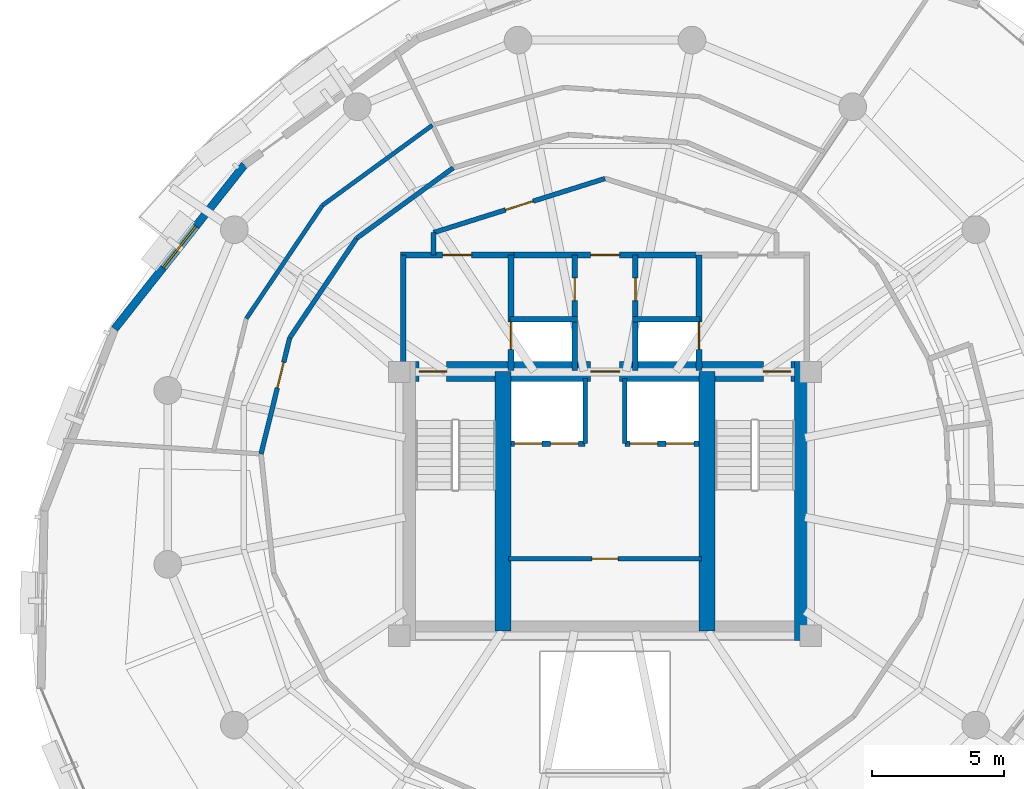
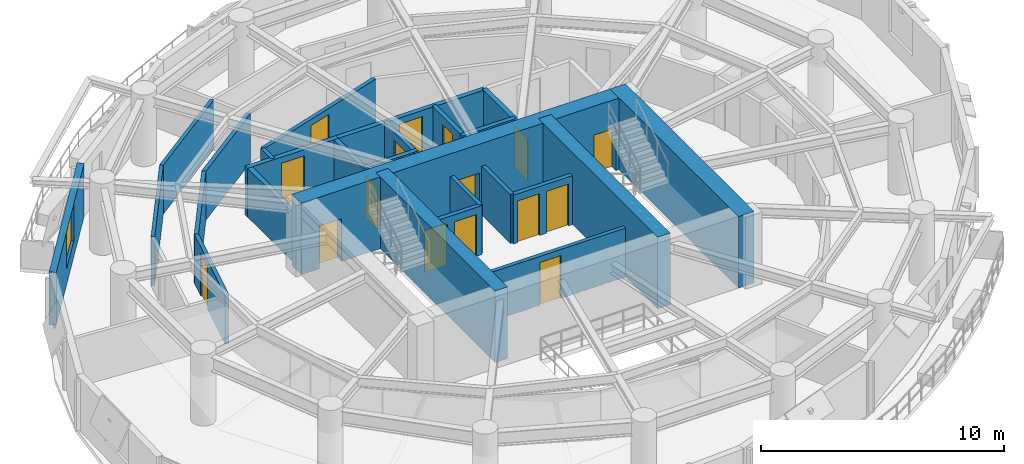
# One storey, part 8 of 12: 26 walls, 16 doors, 1 window, 17 openings.
"""IFC4 building model written with IfcOpenShell, lengths in metres."""

from ifc_helpers import new_model, si_unit, direction, frame, frame_2d, origin, place, context, subcontext, project, spatial, rectangle, extrude, material, layer, layer_set, type_object, element, fill, save


model = new_model("IFC4")

# Units and contexts
model_context = context("Model", 3, precision=1e-05, world=origin(), true_north=direction((0.0, 1.0)))
body_context = subcontext(model_context, "Body", "Model", "MODEL_VIEW")
ifc_project = project(units=[si_unit("LENGTHUNIT", "METRE"), si_unit("AREAUNIT", "SQUARE_METRE"), si_unit("VOLUMEUNIT", "CUBIC_METRE"), si_unit("PLANEANGLEUNIT", "RADIAN"), si_unit("MASSUNIT", "GRAM", prefix="KILO"), si_unit("THERMODYNAMICTEMPERATUREUNIT", "KELVIN"), si_unit("POWERUNIT", "WATT")], contexts=[model_context])

# Site, building, storey
site_placement = place(None, origin())
site = spatial("IfcSite", under=ifc_project, at=site_placement, CompositionType="ELEMENT")
building_placement = place(site_placement, origin())
building = spatial("IfcBuilding", under=site, at=building_placement, Name="Ocrelia Relay Tower", CompositionType="ELEMENT")
storey_placement = place(building_placement, frame((0.0, 0.0, 184.39990234375)))
storey = spatial("IfcBuildingStorey", under=building, at=storey_placement, Name="L44", CompositionType="ELEMENT", Elevation=184.39990234375)

# Wall, openings, doors
ifc_material_1 = material(Name="Concrete C60/75", Category="concrete")
ifc_layer_1 = layer(ifc_material_1, 0.75, Name="Concrete C60/75")
ifc_layer_set_1 = layer_set([ifc_layer_1], Name="Concrete C60/75")
wall_type_1 = type_object("IfcWallType", Name="CW-CORE-750", PredefinedType="SHEAR", material=ifc_layer_set_1)
wall_1_placement = place(storey_placement, frame((26.072021484375, 30.012939453125, 0.0), z_axis=(0.0, 0.0, 1.0), x_axis=(1.0, 0.0, 0.0)))
wall_1 = element("IfcWall", 1, at=wall_1_placement, inside=storey, type_object=wall_type_1, Name="L44 Core Shear Wall N", PredefinedType="SHEAR", context=body_context, shape_type="SweptSolid", body=[
    extrude(rectangle(XDim=15.865966796875, YDim=0.75, at=frame_2d((7.93310546875, 0.0))), origin(), (0.0, 0.0, 1.0), 3.60009765625),
])
opening_1_placement = place(wall_1_placement, frame((0.8779296875, 0.0, 0.0)))
opening_1 = element("IfcOpeningElement", 2, at=opening_1_placement, cuts=wall_1, Name="Opening D-FD90", PredefinedType="OPENING", context=body_context, shape_type="SweptSolid", body=[
    extrude(rectangle(XDim=1.050048828125, YDim=2.14990234375, at=frame_2d((0.52490234375, 1.074951171875))), frame((0.0, 0.385009765625, 0.0), z_axis=(0.0, -1.0, 0.0), x_axis=(1.0, 0.0, 0.0)), (0.0, 0.0, 1.0), 0.77001953125),
])
opening_2_placement = place(wall_1_placement, frame((13.927978515625, 0.0, 0.0)))
opening_2 = element("IfcOpeningElement", 3, at=opening_2_placement, cuts=wall_1, Name="Opening D-FD90", PredefinedType="OPENING", context=body_context, shape_type="SweptSolid", body=[
    extrude(rectangle(XDim=1.050048828125, YDim=2.14990234375, at=frame_2d((0.52490234375, 1.074951171875))), frame((0.0, 0.385009765625, 0.0), z_axis=(0.0, -1.0, 0.0), x_axis=(1.0, 0.0, 0.0)), (0.0, 0.0, 1.0), 0.77001953125),
])
opening_3_placement = place(wall_1_placement, frame((7.3779296875, 0.0, 0.0)))
opening_3 = element("IfcOpeningElement", 4, at=opening_3_placement, cuts=wall_1, Name="Opening D-FD60", PredefinedType="OPENING", context=body_context, shape_type="SweptSolid", body=[
    extrude(rectangle(XDim=1.10009765625, YDim=2.14990234375, at=frame_2d((0.550048828125, 1.074951171875))), frame((0.0, 0.385009765625, 0.0), z_axis=(0.0, -1.0, 0.0), x_axis=(1.0, 0.0, 0.0)), (0.0, 0.0, 1.0), 0.77001953125),
])
ifc_material_2 = material(Name="Timber-core 60-min acoustic fire door", Category="wood")
door_type_1 = type_object("IfcDoorType", Name="DR-LOBBY-FD60-1100", OperationType="NOTDEFINED", PredefinedType="DOOR", material=ifc_material_2)
door_1_placement = place(opening_3_placement, origin())
door_1 = element("IfcDoor", 5, at=door_1_placement, inside=storey, type_object=door_type_1, Name="L44 Core Lift Lobby North Fire Door", OperationType="SINGLE_SWING_LEFT", OverallHeight=2.14990234375, OverallWidth=1.10009765625, PredefinedType="DOOR", context=body_context, shape_type="SweptSolid", body=[
    extrude(rectangle(XDim=1.10009765625, YDim=2.14990234375, at=frame_2d((0.550048828125, 1.074951171875))), frame((0.0, 0.02490234375, 0.0), z_axis=(0.0, -1.0, 0.0), x_axis=(1.0, 0.0, 0.0)), (0.0, 0.0, 1.0), 0.050048828125),
])
fill(opening_3, door_1)
ifc_material_3 = material(Name="Steel S355 90-min fire door", Category="steel")
door_type_2 = type_object("IfcDoorType", Name="DR-STAIR-FD90-1050", OperationType="NOTDEFINED", PredefinedType="DOOR", material=ifc_material_3)
door_2_placement = place(opening_1_placement, origin())
door_2 = element("IfcDoor", 6, at=door_2_placement, inside=storey, type_object=door_type_2, Name="L44 Stair ST1 Fire Door", OperationType="SINGLE_SWING_LEFT", OverallHeight=2.14990234375, OverallWidth=1.050048828125, PredefinedType="DOOR", context=body_context, shape_type="SweptSolid", body=[
    extrude(rectangle(XDim=1.050048828125, YDim=2.14990234375, at=frame_2d((0.52490234375, 1.074951171875))), frame((0.0, 0.02490234375, 0.0), z_axis=(0.0, -1.0, 0.0), x_axis=(1.0, 0.0, 0.0)), (0.0, 0.0, 1.0), 0.050048828125),
])
fill(opening_1, door_2)
door_3_placement = place(opening_2_placement, origin())
door_3 = element("IfcDoor", 7, at=door_3_placement, inside=storey, type_object=door_type_2, Name="L44 Stair ST2 Fire Door", OperationType="SINGLE_SWING_RIGHT", OverallHeight=2.14990234375, OverallWidth=1.050048828125, PredefinedType="DOOR", context=body_context, shape_type="SweptSolid", body=[
    extrude(rectangle(XDim=1.050048828125, YDim=2.14990234375, at=frame_2d((0.52490234375, 1.074951171875))), frame((0.0, 0.02490234375, 0.0), z_axis=(0.0, -1.0, 0.0), x_axis=(1.0, 0.0, 0.0)), (0.0, 0.0, 1.0), 0.050048828125),
])
fill(opening_2, door_3)

# Walls
wall_2_placement = place(storey_placement, frame((41.56298828125, 19.81201171875, 0.0), z_axis=(0.0, 0.0, 1.0), x_axis=(0.0, 1.0, 0.0)))
element("IfcWall", 8, at=wall_2_placement, inside=storey, type_object=wall_type_1, Name="L44 Core Shear Wall E", PredefinedType="SHEAR", context=body_context, shape_type="SweptSolid", body=[
    extrude(rectangle(XDim=10.575927734375, YDim=0.75, at=frame_2d((5.2880859375, 0.0))), origin(), (0.0, 0.0, 1.0), 3.60009765625),
])
for number, where, z_axis, x_axis, name in (
    (9, (30.137939453125, 20.18701171875, 0.0), (0.0, 0.0, 1.0), (0.0, 1.0, 0.0), "L44 Core Shear Wall SPW"),
    (10, (37.8720703125, 20.18701171875, 0.0), (0.0, 0.0, 1.0), (0.0, 1.0, 0.0), "L44 Core Shear Wall SPE"),
):
    element("IfcWall", number, at=place(storey_placement, frame(where, z_axis=z_axis, x_axis=x_axis)), inside=storey, type_object=wall_type_1, Name=name, PredefinedType="SHEAR", context=body_context, shape_type="SweptSolid", body=[
        extrude(rectangle(XDim=9.825927734375, YDim=0.60009765625, at=frame_2d((4.9130859375, 0.0))), origin(), (0.0, 0.0, 1.0), 3.60009765625),
    ])

# Wall, opening, door
ifc_material_4 = material(Name="Gypsum Fireboard Partition EI60", Category="gypsum")
ifc_layer_2 = layer(ifc_material_4, 0.179931640625, Name="Gypsum Fireboard Partition EI60")
ifc_layer_set_2 = layer_set([ifc_layer_2], Name="Gypsum Fireboard Partition EI60")
wall_type_2 = type_object("IfcWallType", Name="W-CORR-EI60-180", PredefinedType="PARTITIONING", material=ifc_layer_set_2)
wall_3_placement = place(storey_placement, frame((30.35009765625, 22.919921875, 0.0), z_axis=(0.0, 0.0, 1.0), x_axis=(1.0, 0.0, 0.0)))
wall_3 = element("IfcWall", 11, at=wall_3_placement, inside=storey, type_object=wall_type_2, Name="L44 Reclaimed Core Room Partition", PredefinedType="PARTITIONING", context=body_context, shape_type="SweptSolid", body=[
    extrude(rectangle(XDim=7.2998046875, YDim=0.179931640625, at=frame_2d((3.64990234375, 0.0))), origin(), (0.0, 0.0, 1.0), 2.460205078125),
])
opening_4_placement = place(wall_3_placement, frame((3.14990234375, 0.0, 0.0)))
opening_4 = element("IfcOpeningElement", 12, at=opening_4_placement, cuts=wall_3, Name="Opening D-RM100", PredefinedType="OPENING", context=body_context, shape_type="SweptSolid", body=[
    extrude(rectangle(XDim=1.0, YDim=2.14990234375, at=frame_2d((0.5, 1.074951171875))), frame((0.0, 0.10009765625, 0.0), z_axis=(0.0, -1.0, 0.0), x_axis=(1.0, 0.0, 0.0)), (0.0, 0.0, 1.0), 0.199951171875),
])
ifc_material_5 = material(Name="Acoustic oak veneer fire door", Category="wood")
door_type_3 = type_object("IfcDoorType", Name="DR-ROOM-FD60-1000", OperationType="NOTDEFINED", PredefinedType="DOOR", material=ifc_material_5)
door_4_placement = place(opening_4_placement, origin())
door_4 = element("IfcDoor", 13, at=door_4_placement, inside=storey, type_object=door_type_3, Name="L44 Calibration Laboratory Door", OperationType="SINGLE_SWING_LEFT", OverallHeight=2.14990234375, OverallWidth=1.0, PredefinedType="DOOR", context=body_context, shape_type="SweptSolid", body=[
    extrude(rectangle(XDim=1.0, YDim=2.14990234375, at=frame_2d((0.5, 1.074951171875))), frame((0.0, 0.02490234375, 0.0), z_axis=(0.0, -1.0, 0.0), x_axis=(1.0, 0.0, 0.0)), (0.0, 0.0, 1.0), 0.050048828125),
])
fill(opening_4, door_4)

# Wall
wall_4_placement = place(storey_placement, frame((27.5, 34.429931640625, 0.0), z_axis=(0.0, 0.0, 1.0), x_axis=(0.0, 1.0, 0.0)))
element("IfcWall", 14, at=wall_4_placement, inside=storey, type_object=wall_type_2, Name="L44 Smoke Lobby West Return", PredefinedType="PARTITIONING", context=body_context, shape_type="SweptSolid", body=[
    extrude(rectangle(XDim=0.85009765625, YDim=0.179931640625, at=frame_2d((0.425048828125, 0.0))), origin(), (0.0, 0.0, 1.0), 2.460205078125),
])

# Wall, opening, door
wall_5_placement = place(storey_placement, frame((27.5, 35.280029296875, 0.0), z_axis=(0.0, 0.0, 1.0), x_axis=(0.953691418528, 0.300786765376, 0.0)))
wall_5 = element("IfcWall", 15, at=wall_5_placement, inside=storey, type_object=wall_type_2, Name="L44 North Smoke Lobby W Screen Wall", PredefinedType="PARTITIONING", context=body_context, shape_type="SweptSolid", body=[
    extrude(rectangle(XDim=6.815673828125, YDim=0.179931640625, at=frame_2d((3.40771484375, 0.0))), origin(), (0.0, 0.0, 1.0), 2.460205078125),
])
opening_5_placement = place(wall_5_placement, frame((2.85791015625, 0.0, 0.0)))
opening_5 = element("IfcOpeningElement", 16, at=opening_5_placement, cuts=wall_5, Name="Opening D-FD60", PredefinedType="OPENING", context=body_context, shape_type="SweptSolid", body=[
    extrude(rectangle(XDim=1.10009765625, YDim=2.14990234375, at=frame_2d((0.550048828125, 1.074951171875))), frame((0.0, 0.10009765625, 0.0), z_axis=(0.0, -1.0, 0.0), x_axis=(1.0, 0.0, 0.0)), (0.0, 0.0, 1.0), 0.199951171875),
])
door_5_placement = place(opening_5_placement, origin())
door_5 = element("IfcDoor", 17, at=door_5_placement, inside=storey, type_object=door_type_1, Name="L44 North Smoke Lobby W Fire Door", OperationType="SINGLE_SWING_RIGHT", OverallHeight=2.14990234375, OverallWidth=1.10009765625, PredefinedType="DOOR", context=body_context, shape_type="SweptSolid", body=[
    extrude(rectangle(XDim=1.10009765625, YDim=2.14990234375, at=frame_2d((0.550048828125, 1.074951171875))), frame((0.0, 0.02490234375, 0.0), z_axis=(0.0, -1.0, 0.0), x_axis=(1.0, 0.0, 0.0)), (0.0, 0.0, 1.0), 0.050048828125),
])
fill(opening_5, door_5)

# Walls
wall_6_placement = place(storey_placement, frame((28.25, 37.7373046875, 0.0), z_axis=(0.0, 0.0, 1.0), x_axis=(-0.807970187932, -0.589223366316, 0.0)))
element("IfcWall", 18, at=wall_6_placement, inside=storey, type_object=wall_type_2, Name="L44 Innovation Club Room Corridor Partition 1", PredefinedType="PARTITIONING", context=body_context, shape_type="SweptSolid", body=[
    extrude(rectangle(XDim=4.5390625, YDim=0.179931640625, at=frame_2d((2.26953125, 0.0))), origin(), (0.0, 0.0, 1.0), 2.460205078125),
])
wall_7_placement = place(storey_placement, frame((24.58251953125, 35.062744140625, 0.0), z_axis=(0.0, 0.0, 1.0), x_axis=(-0.557749790802, -0.830009139022, 0.0)))
element("IfcWall", 19, at=wall_7_placement, inside=storey, type_object=wall_type_2, Name="L44 Innovation Club Room Corridor Partition 2", PredefinedType="PARTITIONING", context=body_context, shape_type="SweptSolid", body=[
    extrude(rectangle(XDim=4.539306640625, YDim=0.179931640625, at=frame_2d((2.26953125, 0.0))), origin(), (0.0, 0.0, 1.0), 2.460205078125),
])

# Wall, opening, door
wall_8_placement = place(storey_placement, frame((22.05078125, 31.295166015625, 0.0), z_axis=(0.0, 0.0, 1.0), x_axis=(-0.240257009057, -0.970709312616, 0.0)))
wall_8 = element("IfcWall", 20, at=wall_8_placement, inside=storey, type_object=wall_type_2, Name="L44 Innovation Club Room Corridor Partition 3", PredefinedType="PARTITIONING", context=body_context, shape_type="SweptSolid", body=[
    extrude(rectangle(XDim=4.539306640625, YDim=0.179931640625, at=frame_2d((2.26953125, 0.0))), origin(), (0.0, 0.0, 1.0), 2.460205078125),
])
opening_6_placement = place(wall_8_placement, frame((0.959716796875, 0.0, 0.0)))
opening_6 = element("IfcOpeningElement", 21, at=opening_6_placement, cuts=wall_8, Name="Opening D-RM100", PredefinedType="OPENING", context=body_context, shape_type="SweptSolid", body=[
    extrude(rectangle(XDim=1.0, YDim=2.14990234375, at=frame_2d((0.5, 1.074951171875))), frame((0.0, 0.10009765625, 0.0), z_axis=(0.0, -1.0, 0.0), x_axis=(1.0, 0.0, 0.0)), (0.0, 0.0, 1.0), 0.199951171875),
])
door_6_placement = place(opening_6_placement, origin())
door_6 = element("IfcDoor", 22, at=door_6_placement, inside=storey, type_object=door_type_3, Name="L44 Innovation Club Room Entrance Door", OperationType="SINGLE_SWING_LEFT", OverallHeight=2.14990234375, OverallWidth=1.0, PredefinedType="DOOR", context=body_context, shape_type="SweptSolid", body=[
    extrude(rectangle(XDim=1.0, YDim=2.14990234375, at=frame_2d((0.5, 1.074951171875))), frame((0.0, 0.02490234375, 0.0), z_axis=(0.0, -1.0, 0.0), x_axis=(1.0, 0.0, 0.0)), (0.0, 0.0, 1.0), 0.050048828125),
])
fill(opening_6, door_6)

# Wall, opening, window
ifc_material_6 = material(Name="Precast concrete C40/50 with oxide terracotta", Category="masonry")
ifc_layer_3 = layer(ifc_material_6, 0.300048828125, Name="Precast concrete C40/50 with oxide terracotta")
ifc_layer_set_3 = layer_set([ifc_layer_3], Name="Precast concrete C40/50 with oxide terracotta")
wall_type_3 = type_object("IfcWallType", Name="W-EXT-TERR-300", PredefinedType="SOLIDWALL", material=ifc_layer_set_3)
wall_9_placement = place(storey_placement, frame((20.33056640625, 37.84912109375, 0.0), z_axis=(0.0, 0.0, 1.0), x_axis=(-0.620355005737, -0.784321150331, 0.0)))
wall_9 = element("IfcWall", 23, at=wall_9_placement, inside=storey, type_object=wall_type_3, Name="L44 Oxide Terracotta Facade Wall 06", PredefinedType="SOLIDWALL", context=body_context, shape_type="SweptSolid", body=[
    extrude(rectangle(XDim=7.92724609375, YDim=0.300048828125, at=frame_2d((3.963623046875, 0.0))), origin(), (0.0, 0.0, 1.0), 2.66015625),
])
opening_7_placement = place(wall_9_placement, frame((2.964111328125, 0.0, 0.800048828125)))
opening_7 = element("IfcOpeningElement", 24, at=opening_7_placement, cuts=wall_9, Name="Opening W-03", PredefinedType="OPENING", context=body_context, shape_type="SweptSolid", body=[
    extrude(rectangle(XDim=2.0, YDim=1.85009765625, at=frame_2d((1.0, 0.925048828125))), frame((0.0, 0.16015625, 0.0), z_axis=(0.0, -1.0, 0.0), x_axis=(1.0, 0.0, 0.0)), (0.0, 0.0, 1.0), 0.320068359375),
])
ifc_material_7 = material(Name="Clear double-glazed low-E glass", Category="glass")
window_type = type_object("IfcWindowType", Name="WIN-Z3-2000x2200", PartitioningType="DOUBLE_PANEL_VERTICAL", PredefinedType="WINDOW", material=ifc_material_7)
window_placement = place(opening_7_placement, origin())
window = element("IfcWindow", 25, at=window_placement, inside=storey, type_object=window_type, Name="L44 Facade Module Window 06", OverallHeight=1.85009765625, OverallWidth=2.0, PartitioningType="SINGLE_PANEL", PredefinedType="WINDOW", context=body_context, shape_type="SweptSolid", body=[
    extrude(rectangle(XDim=2.0, YDim=1.85009765625, at=frame_2d((1.0, 0.925048828125))), frame((0.0, 0.030029296875, 0.0), z_axis=(0.0, -1.0, 0.0), x_axis=(1.0, 0.0, 0.0)), (0.0, 0.0, 1.0), 0.06005859375),
])
fill(opening_7, window)

# Wall
ifc_material_8 = material(Name="Concrete C50/60", Category="concrete")
ifc_layer_4 = layer(ifc_material_8, 0.219970703125, Name="Concrete C50/60")
ifc_layer_set_4 = layer_set([ifc_layer_4], Name="Concrete C50/60")
wall_type_4 = type_object("IfcWallType", Name="W-FFL-EI120-220", PredefinedType="SOLIDWALL", material=ifc_layer_set_4)
wall_10_placement = place(storey_placement, frame((26.35009765625, 30.050048828125, 0.0), z_axis=(0.0, 0.0, 1.0), x_axis=(0.0, 1.0, 0.0)))
element("IfcWall", 26, at=wall_10_placement, inside=storey, type_object=wall_type_4, Name="L44 W Fire Service Lift Lobby West Wall", PredefinedType="SOLIDWALL", context=body_context, shape_type="SweptSolid", body=[
    extrude(rectangle(XDim=4.3798828125, YDim=0.219970703125, at=frame_2d((2.18994140625, 0.0))), origin(), (0.0, 0.0, 1.0), 2.460205078125),
])

# Wall, opening, door
wall_11_placement = place(storey_placement, frame((30.43994140625, 30.050048828125, 0.0), z_axis=(0.0, 0.0, 1.0), x_axis=(0.0, 1.0, 0.0)))
wall_11 = element("IfcWall", 27, at=wall_11_placement, inside=storey, type_object=wall_type_4, Name="L44 W Fire Service Lift Lobby East Wall", PredefinedType="SOLIDWALL", context=body_context, shape_type="SweptSolid", body=[
    extrude(rectangle(XDim=4.3798828125, YDim=0.219970703125, at=frame_2d((2.18994140625, 0.0))), origin(), (0.0, 0.0, 1.0), 2.460205078125),
])
opening_8_placement = place(wall_11_placement, frame((0.800048828125, 0.0, 0.0)))
opening_8 = element("IfcOpeningElement", 28, at=opening_8_placement, cuts=wall_11, Name="Opening LD-FFL1", PredefinedType="OPENING", context=body_context, shape_type="SweptSolid", body=[
    extrude(rectangle(XDim=1.050048828125, YDim=2.10009765625, at=frame_2d((0.52490234375, 1.050048828125))), frame((0.0, 0.1201171875, 0.0), z_axis=(0.0, -1.0, 0.0), x_axis=(1.0, 0.0, 0.0)), (0.0, 0.0, 1.0), 0.239990234375),
])
ifc_material_9 = material(Name="Brushed stainless steel S355 lift landing door", Category="steel")
door_type_4 = type_object("IfcDoorType", Name="DR-LIFT-LAND-1050", OperationType="DOUBLE_DOOR_SLIDING", PredefinedType="USERDEFINED", material=ifc_material_9)
door_7_placement = place(opening_8_placement, origin())
door_7 = element("IfcDoor", 29, at=door_7_placement, inside=storey, type_object=door_type_4, Name="L44 Firefighting Lift FFL1 Sliding Landing Door", ObjectType="LANDING DOOR", OperationType="DOUBLE_DOOR_SLIDING", OverallHeight=2.10009765625, OverallWidth=1.050048828125, PredefinedType="USERDEFINED", context=body_context, shape_type="SweptSolid", body=[
    extrude(rectangle(XDim=1.050048828125, YDim=2.10009765625, at=frame_2d((0.52490234375, 1.050048828125))), frame((0.0, 0.02490234375, 0.0), z_axis=(0.0, -1.0, 0.0), x_axis=(1.0, 0.0, 0.0)), (0.0, 0.0, 1.0), 0.050048828125),
])
fill(opening_8, door_7)

wall_12_placement = place(storey_placement, frame((26.239990234375, 34.429931640625, 0.0), z_axis=(0.0, 0.0, 1.0), x_axis=(1.0, 0.0, 0.0)))
wall_12 = element("IfcWall", 30, at=wall_12_placement, inside=storey, type_object=wall_type_4, Name="L44 W Fire Service Lift Lobby North Wall", PredefinedType="SOLIDWALL", context=body_context, shape_type="SweptSolid", body=[
    extrude(rectangle(XDim=4.31005859375, YDim=0.219970703125, at=frame_2d((2.155029296875, 0.0))), origin(), (0.0, 0.0, 1.0), 2.460205078125),
])
opening_9_placement = place(wall_12_placement, frame((1.60009765625, 0.0, 0.0)))
opening_9 = element("IfcOpeningElement", 31, at=opening_9_placement, cuts=wall_12, Name="Opening D-FD60", PredefinedType="OPENING", context=body_context, shape_type="SweptSolid", body=[
    extrude(rectangle(XDim=1.10009765625, YDim=2.14990234375, at=frame_2d((0.550048828125, 1.074951171875))), frame((0.0, 0.1201171875, 0.0), z_axis=(0.0, -1.0, 0.0), x_axis=(1.0, 0.0, 0.0)), (0.0, 0.0, 1.0), 0.239990234375),
])
door_8_placement = place(opening_9_placement, origin())
door_8 = element("IfcDoor", 32, at=door_8_placement, inside=storey, type_object=door_type_1, Name="L44 W Fire Service Lift Lobby Exit Door", OperationType="SINGLE_SWING_RIGHT", OverallHeight=2.14990234375, OverallWidth=1.10009765625, PredefinedType="DOOR", context=body_context, shape_type="SweptSolid", body=[
    extrude(rectangle(XDim=1.10009765625, YDim=2.14990234375, at=frame_2d((0.550048828125, 1.074951171875))), frame((0.0, 0.02490234375, 0.0), z_axis=(0.0, -1.0, 0.0), x_axis=(1.0, 0.0, 0.0)), (0.0, 0.0, 1.0), 0.050048828125),
])
fill(opening_9, door_8)

wall_13_placement = place(storey_placement, frame((37.56005859375, 30.050048828125, 0.0), z_axis=(0.0, 0.0, 1.0), x_axis=(0.0, 1.0, 0.0)))
wall_13 = element("IfcWall", 33, at=wall_13_placement, inside=storey, type_object=wall_type_4, Name="L44 E Fire Service Lift Lobby West Wall", PredefinedType="SOLIDWALL", context=body_context, shape_type="SweptSolid", body=[
    extrude(rectangle(XDim=4.3798828125, YDim=0.219970703125, at=frame_2d((2.18994140625, 0.0))), origin(), (0.0, 0.0, 1.0), 2.460205078125),
])
opening_10_placement = place(wall_13_placement, frame((0.800048828125, 0.0, 0.0)))
opening_10 = element("IfcOpeningElement", 34, at=opening_10_placement, cuts=wall_13, Name="Opening LD-FFL2", PredefinedType="OPENING", context=body_context, shape_type="SweptSolid", body=[
    extrude(rectangle(XDim=1.050048828125, YDim=2.10009765625, at=frame_2d((0.52490234375, 1.050048828125))), frame((0.0, 0.1201171875, 0.0), z_axis=(0.0, -1.0, 0.0), x_axis=(1.0, 0.0, 0.0)), (0.0, 0.0, 1.0), 0.239990234375),
])
door_9_placement = place(opening_10_placement, origin())
door_9 = element("IfcDoor", 35, at=door_9_placement, inside=storey, type_object=door_type_4, Name="L44 Firefighting Lift FFL2 Sliding Landing Door", ObjectType="LANDING DOOR", OperationType="DOUBLE_DOOR_SLIDING", OverallHeight=2.10009765625, OverallWidth=1.050048828125, PredefinedType="USERDEFINED", context=body_context, shape_type="SweptSolid", body=[
    extrude(rectangle(XDim=1.050048828125, YDim=2.10009765625, at=frame_2d((0.52490234375, 1.050048828125))), frame((0.0, 0.02490234375, 0.0), z_axis=(0.0, -1.0, 0.0), x_axis=(1.0, 0.0, 0.0)), (0.0, 0.0, 1.0), 0.050048828125),
])
fill(opening_10, door_9)

wall_14_placement = place(storey_placement, frame((30.43994140625, 34.429931640625, 0.0), z_axis=(0.0, 0.0, 1.0), x_axis=(1.0, 0.0, 0.0)))
wall_14 = element("IfcWall", 36, at=wall_14_placement, inside=storey, type_object=wall_type_4, Name="L44 North Core Vestibule Wall", PredefinedType="SOLIDWALL", context=body_context, shape_type="SweptSolid", body=[
    extrude(rectangle(XDim=7.1201171875, YDim=0.219970703125, at=frame_2d((3.56005859375, 0.0))), origin(), (0.0, 0.0, 1.0), 2.460205078125),
])
opening_11_placement = place(wall_14_placement, frame((3.010009765625, 0.0, 0.0)))
opening_11 = element("IfcOpeningElement", 37, at=opening_11_placement, cuts=wall_14, Name="Opening D-FD60", PredefinedType="OPENING", context=body_context, shape_type="SweptSolid", body=[
    extrude(rectangle(XDim=1.10009765625, YDim=2.14990234375, at=frame_2d((0.550048828125, 1.074951171875))), frame((0.0, 0.1201171875, 0.0), z_axis=(0.0, -1.0, 0.0), x_axis=(1.0, 0.0, 0.0)), (0.0, 0.0, 1.0), 0.239990234375),
])
door_10_placement = place(opening_11_placement, origin())
door_10 = element("IfcDoor", 38, at=door_10_placement, inside=storey, type_object=door_type_1, Name="L44 North Core Vestibule Corridor Door", OperationType="SINGLE_SWING_RIGHT", OverallHeight=2.14990234375, OverallWidth=1.10009765625, PredefinedType="DOOR", context=body_context, shape_type="SweptSolid", body=[
    extrude(rectangle(XDim=1.10009765625, YDim=2.14990234375, at=frame_2d((0.550048828125, 1.074951171875))), frame((0.0, 0.02490234375, 0.0), z_axis=(0.0, -1.0, 0.0), x_axis=(1.0, 0.0, 0.0)), (0.0, 0.0, 1.0), 0.050048828125),
])
fill(opening_11, door_10)

# Walls
ifc_material_10 = material(Name="Acoustic Fireboard Partition EI60", Category="gypsum")
ifc_layer_5 = layer(ifc_material_10, 0.159912109375, Name="Acoustic Fireboard Partition EI60")
ifc_layer_set_5 = layer_set([ifc_layer_5], Name="Acoustic Fireboard Partition EI60")
wall_type_5 = type_object("IfcWallType", Name="W-PART-160", PredefinedType="PARTITIONING", material=ifc_layer_set_5)
for number, where, z_axis, x_axis, name in (
    (39, (27.4580078125, 39.353759765625, 0.0), (0.0, 0.0, 1.0), (-0.807966737534, -0.589228097632, 0.0), "L44 Perimeter Innovation Club Room Mid-Ring Partition 1"),
    (40, (23.285400390625, 36.310791015625, 0.0), (0.0, 0.0, 1.0), (-0.557751154154, -0.830008222875, 0.0), "L44 Perimeter Innovation Club Room Mid-Ring Partition 2"),
):
    element("IfcWall", number, at=place(storey_placement, frame(where, z_axis=z_axis, x_axis=x_axis)), inside=storey, type_object=wall_type_5, Name=name, PredefinedType="PARTITIONING", context=body_context, shape_type="SweptSolid", body=[
        extrude(rectangle(XDim=5.164306640625, YDim=0.159912109375, at=frame_2d((2.58203125, 0.0))), origin(), (0.0, 0.0, 1.0), 2.460205078125),
    ])
ifc_layer_6 = layer(ifc_material_8, 0.199951171875, Name="Concrete C50/60")
ifc_layer_set_6 = layer_set([ifc_layer_6], Name="Concrete C50/60")
wall_type_6 = type_object("IfcWallType", Name="W-SHAFT-EI120-200", PredefinedType="SOLIDWALL", material=ifc_layer_set_6)
wall_15_placement = place(storey_placement, frame((30.39990234375, 32.0, 0.0), z_axis=(0.0, 0.0, 1.0), x_axis=(1.0, 0.0, 0.0)))
element("IfcWall", 41, at=wall_15_placement, inside=storey, type_object=wall_type_6, Name="L44 FFL1 Hoistway North Wall", PredefinedType="SOLIDWALL", context=body_context, shape_type="SweptSolid", body=[
    extrude(rectangle(XDim=2.550048828125, YDim=0.199951171875, at=frame_2d((1.27490234375, 0.0))), origin(), (0.0, 0.0, 1.0), 2.460205078125),
])

# Wall, opening, door
wall_16_placement = place(storey_placement, frame((32.85009765625, 30.050048828125, 0.0), z_axis=(0.0, 0.0, 1.0), x_axis=(0.0, 1.0, 0.0)))
wall_16 = element("IfcWall", 42, at=wall_16_placement, inside=storey, type_object=wall_type_6, Name="L44 FFL1 and Service Vestibule Wall", PredefinedType="SOLIDWALL", context=body_context, shape_type="SweptSolid", body=[
    extrude(rectangle(XDim=4.3798828125, YDim=0.199951171875, at=frame_2d((2.18994140625, 0.0))), origin(), (0.0, 0.0, 1.0), 2.460205078125),
])
opening_12_placement = place(wall_16_placement, frame((2.64990234375, 0.0, 0.0)))
opening_12 = element("IfcOpeningElement", 43, at=opening_12_placement, cuts=wall_16, Name="Opening D-RS86", PredefinedType="OPENING", context=body_context, shape_type="SweptSolid", body=[
    extrude(rectangle(XDim=0.860107421875, YDim=2.050048828125, at=frame_2d((0.43017578125, 1.02490234375))), frame((0.0, 0.10986328125, 0.0), z_axis=(0.0, -1.0, 0.0), x_axis=(1.0, 0.0, 0.0)), (0.0, 0.0, 1.0), 0.219970703125),
])
ifc_material_11 = material(Name="Steel S355 riser access fire door", Category="steel")
door_type_5 = type_object("IfcDoorType", Name="DR-RISER-TRAP-860", OperationType="NOTDEFINED", PredefinedType="TRAPDOOR", material=ifc_material_11)
door_11_placement = place(opening_12_placement, origin())
door_11 = element("IfcDoor", 44, at=door_11_placement, inside=storey, type_object=door_type_5, Name="L44 Core Support Room W Door", OperationType="SINGLE_SWING_LEFT", OverallHeight=2.050048828125, OverallWidth=0.860107421875, PredefinedType="TRAPDOOR", context=body_context, shape_type="SweptSolid", body=[
    extrude(rectangle(XDim=0.860107421875, YDim=2.050048828125, at=frame_2d((0.43017578125, 1.02490234375))), frame((0.0, 0.02490234375, 0.0), z_axis=(0.0, -1.0, 0.0), x_axis=(1.0, 0.0, 0.0)), (0.0, 0.0, 1.0), 0.050048828125),
])
fill(opening_12, door_11)

# Wall
wall_17_placement = place(storey_placement, frame((35.050048828125, 32.0, 0.0), z_axis=(0.0, 0.0, 1.0), x_axis=(1.0, 0.0, 0.0)))
element("IfcWall", 45, at=wall_17_placement, inside=storey, type_object=wall_type_6, Name="L44 FFL2 Hoistway North Wall", PredefinedType="SOLIDWALL", context=body_context, shape_type="SweptSolid", body=[
    extrude(rectangle(XDim=2.550048828125, YDim=0.199951171875, at=frame_2d((1.27490234375, 0.0))), origin(), (0.0, 0.0, 1.0), 2.460205078125),
])

# Wall, opening, door
wall_18_placement = place(storey_placement, frame((35.14990234375, 30.050048828125, 0.0), z_axis=(0.0, 0.0, 1.0), x_axis=(0.0, 1.0, 0.0)))
wall_18 = element("IfcWall", 46, at=wall_18_placement, inside=storey, type_object=wall_type_6, Name="L44 FFL2 and Service Vestibule Wall", PredefinedType="SOLIDWALL", context=body_context, shape_type="SweptSolid", body=[
    extrude(rectangle(XDim=4.3798828125, YDim=0.199951171875, at=frame_2d((2.18994140625, 0.0))), origin(), (0.0, 0.0, 1.0), 2.460205078125),
])
opening_13_placement = place(wall_18_placement, frame((2.64990234375, 0.0, 0.0)))
opening_13 = element("IfcOpeningElement", 47, at=opening_13_placement, cuts=wall_18, Name="Opening D-RS86", PredefinedType="OPENING", context=body_context, shape_type="SweptSolid", body=[
    extrude(rectangle(XDim=0.860107421875, YDim=2.050048828125, at=frame_2d((0.43017578125, 1.02490234375))), frame((0.0, 0.10986328125, 0.0), z_axis=(0.0, -1.0, 0.0), x_axis=(1.0, 0.0, 0.0)), (0.0, 0.0, 1.0), 0.219970703125),
])
door_12_placement = place(opening_13_placement, origin())
door_12 = element("IfcDoor", 48, at=door_12_placement, inside=storey, type_object=door_type_5, Name="L44 Core Support Room E Door", OperationType="SINGLE_SWING_LEFT", OverallHeight=2.050048828125, OverallWidth=0.860107421875, PredefinedType="TRAPDOOR", context=body_context, shape_type="SweptSolid", body=[
    extrude(rectangle(XDim=0.860107421875, YDim=2.050048828125, at=frame_2d((0.43017578125, 1.02490234375))), frame((0.0, 0.02490234375, 0.0), z_axis=(0.0, -1.0, 0.0), x_axis=(1.0, 0.0, 0.0)), (0.0, 0.0, 1.0), 0.050048828125),
])
fill(opening_13, door_12)

# Wall, openings, doors
wall_19_placement = place(storey_placement, frame((30.43994140625, 27.280029296875, 0.0), z_axis=(0.0, 0.0, 1.0), x_axis=(1.0, 0.0, 0.0)))
wall_19 = element("IfcWall", 49, at=wall_19_placement, inside=storey, type_object=wall_type_6, Name="L44 High-Rise Lift Hoistway Wall W", PredefinedType="SOLIDWALL", context=body_context, shape_type="SweptSolid", body=[
    extrude(rectangle(XDim=2.81005859375, YDim=0.199951171875, at=frame_2d((1.405029296875, 0.0))), origin(), (0.0, 0.0, 1.0), 2.460205078125),
])
opening_14_placement = place(wall_19_placement, frame((0.1201171875, 0.0, 0.0)))
opening_14 = element("IfcOpeningElement", 50, at=opening_14_placement, cuts=wall_19, Name="Opening LD-PL5", PredefinedType="OPENING", context=body_context, shape_type="SweptSolid", body=[
    extrude(rectangle(XDim=1.050048828125, YDim=2.10009765625, at=frame_2d((0.52490234375, 1.050048828125))), frame((0.0, 0.10986328125, 0.0), z_axis=(0.0, -1.0, 0.0), x_axis=(1.0, 0.0, 0.0)), (0.0, 0.0, 1.0), 0.219970703125),
])
opening_15_placement = place(wall_19_placement, frame((1.5, 0.0, 0.0)))
opening_15 = element("IfcOpeningElement", 51, at=opening_15_placement, cuts=wall_19, Name="Opening LD-PL6", PredefinedType="OPENING", context=body_context, shape_type="SweptSolid", body=[
    extrude(rectangle(XDim=1.050048828125, YDim=2.10009765625, at=frame_2d((0.52490234375, 1.050048828125))), frame((0.0, 0.10986328125, 0.0), z_axis=(0.0, -1.0, 0.0), x_axis=(1.0, 0.0, 0.0)), (0.0, 0.0, 1.0), 0.219970703125),
])
door_13_placement = place(opening_14_placement, origin())
door_13 = element("IfcDoor", 52, at=door_13_placement, inside=storey, type_object=door_type_4, Name="L44 High-Rise Lift PL5 Sliding Landing Door", ObjectType="LANDING DOOR", OperationType="DOUBLE_DOOR_SLIDING", OverallHeight=2.10009765625, OverallWidth=1.050048828125, PredefinedType="USERDEFINED", context=body_context, shape_type="SweptSolid", body=[
    extrude(rectangle(XDim=1.050048828125, YDim=2.10009765625, at=frame_2d((0.52490234375, 1.050048828125))), frame((0.0, 0.02490234375, 0.0), z_axis=(0.0, -1.0, 0.0), x_axis=(1.0, 0.0, 0.0)), (0.0, 0.0, 1.0), 0.050048828125),
])
fill(opening_14, door_13)
door_14_placement = place(opening_15_placement, origin())
door_14 = element("IfcDoor", 53, at=door_14_placement, inside=storey, type_object=door_type_4, Name="L44 High-Rise Lift PL6 Sliding Landing Door", ObjectType="LANDING DOOR", OperationType="DOUBLE_DOOR_SLIDING", OverallHeight=2.10009765625, OverallWidth=1.050048828125, PredefinedType="USERDEFINED", context=body_context, shape_type="SweptSolid", body=[
    extrude(rectangle(XDim=1.050048828125, YDim=2.10009765625, at=frame_2d((0.52490234375, 1.050048828125))), frame((0.0, 0.02490234375, 0.0), z_axis=(0.0, -1.0, 0.0), x_axis=(1.0, 0.0, 0.0)), (0.0, 0.0, 1.0), 0.050048828125),
])
fill(opening_15, door_14)

# Wall
wall_20_placement = place(storey_placement, frame((33.25, 27.280029296875, 0.0), z_axis=(0.0, 0.0, 1.0), x_axis=(0.0, 1.0, 0.0)))
element("IfcWall", 54, at=wall_20_placement, inside=storey, type_object=wall_type_6, Name="L44 High-Rise Lift Throat Wall W", PredefinedType="SOLIDWALL", context=body_context, shape_type="SweptSolid", body=[
    extrude(rectangle(XDim=2.469970703125, YDim=0.179931640625, at=frame_2d((1.23486328125, 0.0))), origin(), (0.0, 0.0, 1.0), 2.460205078125),
])

# Wall, openings, doors
wall_21_placement = place(storey_placement, frame((34.75, 27.280029296875, 0.0), z_axis=(0.0, 0.0, 1.0), x_axis=(1.0, 0.0, 0.0)))
wall_21 = element("IfcWall", 55, at=wall_21_placement, inside=storey, type_object=wall_type_6, Name="L44 High-Rise Lift Hoistway Wall E", PredefinedType="SOLIDWALL", context=body_context, shape_type="SweptSolid", body=[
    extrude(rectangle(XDim=2.81005859375, YDim=0.199951171875, at=frame_2d((1.405029296875, 0.0))), origin(), (0.0, 0.0, 1.0), 2.460205078125),
])
opening_16_placement = place(wall_21_placement, frame((0.18994140625, 0.0, 0.0)))
opening_16 = element("IfcOpeningElement", 56, at=opening_16_placement, cuts=wall_21, Name="Opening LD-PL7", PredefinedType="OPENING", context=body_context, shape_type="SweptSolid", body=[
    extrude(rectangle(XDim=1.050048828125, YDim=2.10009765625, at=frame_2d((0.52490234375, 1.050048828125))), frame((0.0, 0.10986328125, 0.0), z_axis=(0.0, -1.0, 0.0), x_axis=(1.0, 0.0, 0.0)), (0.0, 0.0, 1.0), 0.219970703125),
])
opening_17_placement = place(wall_21_placement, frame((1.570068359375, 0.0, 0.0)))
opening_17 = element("IfcOpeningElement", 57, at=opening_17_placement, cuts=wall_21, Name="Opening LD-PL8", PredefinedType="OPENING", context=body_context, shape_type="SweptSolid", body=[
    extrude(rectangle(XDim=1.050048828125, YDim=2.10009765625, at=frame_2d((0.52490234375, 1.050048828125))), frame((0.0, 0.10986328125, 0.0), z_axis=(0.0, -1.0, 0.0), x_axis=(1.0, 0.0, 0.0)), (0.0, 0.0, 1.0), 0.219970703125),
])
door_15_placement = place(opening_16_placement, origin())
door_15 = element("IfcDoor", 58, at=door_15_placement, inside=storey, type_object=door_type_4, Name="L44 High-Rise Lift PL7 Sliding Landing Door", ObjectType="LANDING DOOR", OperationType="DOUBLE_DOOR_SLIDING", OverallHeight=2.10009765625, OverallWidth=1.050048828125, PredefinedType="USERDEFINED", context=body_context, shape_type="SweptSolid", body=[
    extrude(rectangle(XDim=1.050048828125, YDim=2.10009765625, at=frame_2d((0.52490234375, 1.050048828125))), frame((0.0, 0.02490234375, 0.0), z_axis=(0.0, -1.0, 0.0), x_axis=(1.0, 0.0, 0.0)), (0.0, 0.0, 1.0), 0.050048828125),
])
fill(opening_16, door_15)
door_16_placement = place(opening_17_placement, origin())
door_16 = element("IfcDoor", 59, at=door_16_placement, inside=storey, type_object=door_type_4, Name="L44 High-Rise Lift PL8 Sliding Landing Door", ObjectType="LANDING DOOR", OperationType="DOUBLE_DOOR_SLIDING", OverallHeight=2.10009765625, OverallWidth=1.050048828125, PredefinedType="USERDEFINED", context=body_context, shape_type="SweptSolid", body=[
    extrude(rectangle(XDim=1.050048828125, YDim=2.10009765625, at=frame_2d((0.52490234375, 1.050048828125))), frame((0.0, 0.02490234375, 0.0), z_axis=(0.0, -1.0, 0.0), x_axis=(1.0, 0.0, 0.0)), (0.0, 0.0, 1.0), 0.050048828125),
])
fill(opening_17, door_16)

# Wall
wall_22_placement = place(storey_placement, frame((34.75, 27.280029296875, 0.0), z_axis=(0.0, 0.0, 1.0), x_axis=(0.0, 1.0, 0.0)))
element("IfcWall", 60, at=wall_22_placement, inside=storey, type_object=wall_type_6, Name="L44 High-Rise Lift Throat Wall E", PredefinedType="SOLIDWALL", context=body_context, shape_type="SweptSolid", body=[
    extrude(rectangle(XDim=2.469970703125, YDim=0.179931640625, at=frame_2d((1.23486328125, 0.0))), origin(), (0.0, 0.0, 1.0), 2.460205078125),
])

save(model, "model.ifc")
